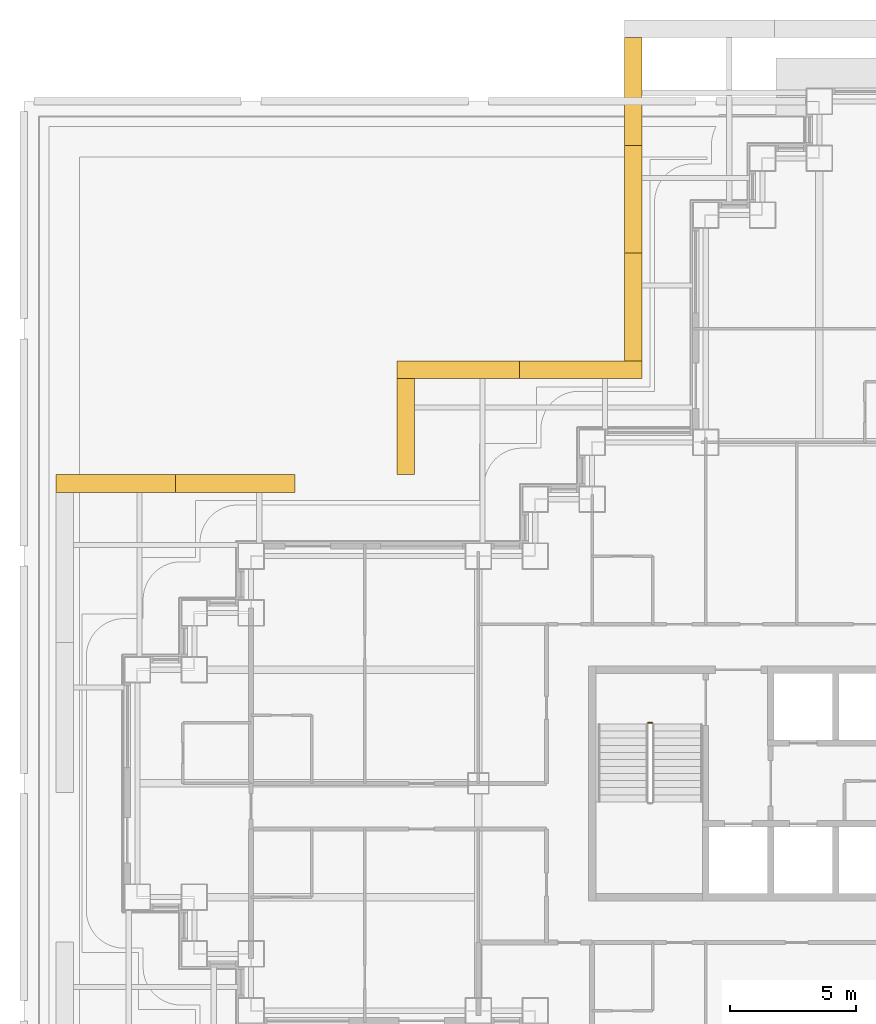
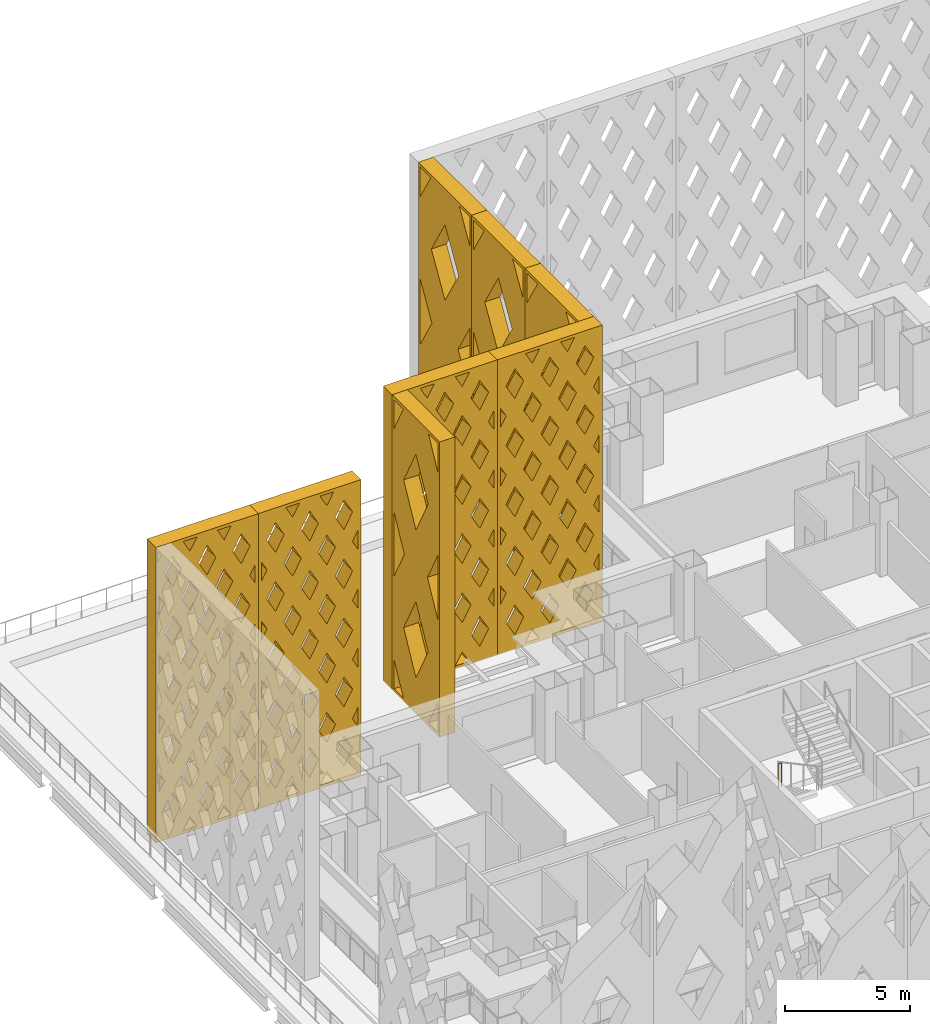
# One storey, part 23 of 26: 8 shading devices, 1 railing.
"""IFC4 building model written with IfcOpenShell, lengths in metres."""

from ifc_helpers import new_model, si_unit, direction, frame, origin, origin_2d, place, context, subcontext, project, spatial, polyline, circle, outline, extrude, material, type_object, element, save


model = new_model("IFC4")

# Units and contexts
model_context = context("Model", 3, precision=1e-05, world=origin(), true_north=direction((0.0, 1.0)))
body_context = subcontext(model_context, "Body", "Model", "MODEL_VIEW")
ifc_project = project(units=[si_unit("LENGTHUNIT", "METRE"), si_unit("AREAUNIT", "SQUARE_METRE"), si_unit("VOLUMEUNIT", "CUBIC_METRE"), si_unit("PLANEANGLEUNIT", "RADIAN"), si_unit("MASSUNIT", "GRAM", prefix="KILO")], contexts=[model_context])

# Site, building, storey
site_placement = place(None, origin())
site = spatial("IfcSite", under=ifc_project, at=site_placement, CompositionType="ELEMENT")
building_placement = place(site_placement, origin())
building = spatial("IfcBuilding", under=site, at=building_placement, Name="Caravel Reach Hotel and Residences", CompositionType="ELEMENT")
storey_placement = place(building_placement, frame((0.0, 0.0, 33.60009765625)))
storey = spatial("IfcBuildingStorey", under=building, at=storey_placement, Name="L06", CompositionType="ELEMENT", Elevation=33.60009765625)

# Shading devices
ifc_material_1 = material(Name="Black powder-coated aluminium", Category="aluminium")
shading_device_type_1 = type_object("IfcShadingDeviceType", Name="Diamond lattice screen panel 3800 x 14400", PredefinedType="USERDEFINED", material=ifc_material_1)
shading_device_1_placement = place(storey_placement, frame((10.97509765625, 43.02490234375, 0.0), z_axis=(-1.0, 0.0, 0.0), x_axis=(0.0, -1.0, 0.0)))
element("IfcShadingDevice", 1, at=shading_device_1_placement, inside=storey, type_object=shading_device_type_1, Name="Lattice screen L06-L09 15.1", ObjectType="SCREEN", PredefinedType="USERDEFINED", context=body_context, shape_type="SweptSolid", body=[
    extrude(outline(polyline([(0.0, 0.0), (3.800048828125, 0.0), (3.800048828125, 14.39990234375), (0.0, 14.39990234375), (0.0, 0.0)]), holes=[polyline([(0.9013671875, 0.14990234375), (0.14990234375, 1.573486328125), (0.14990234375, 0.14990234375), (0.9013671875, 0.14990234375)]), polyline([(0.98046875, 7.199951171875), (0.14990234375, 8.7734375), (0.14990234375, 5.62646484375), (0.98046875, 7.199951171875)]), polyline([(0.14990234375, 12.826416015625), (0.9013671875, 14.25), (0.14990234375, 14.25), (0.14990234375, 12.826416015625)]), polyline([(1.89990234375, 5.457763671875), (0.91943359375, 3.60009765625), (1.89990234375, 1.7421875), (2.88037109375, 3.60009765625), (1.89990234375, 5.457763671875)]), polyline([(1.89990234375, 12.65771484375), (0.91943359375, 10.800048828125), (1.89990234375, 8.9423828125), (2.88037109375, 10.800048828125), (1.89990234375, 12.65771484375)]), polyline([(3.64990234375, 1.573486328125), (2.898681640625, 0.14990234375), (3.64990234375, 0.14990234375), (3.64990234375, 1.573486328125)]), polyline([(2.819580078125, 7.199951171875), (3.64990234375, 5.62646484375), (3.64990234375, 8.7734375), (2.819580078125, 7.199951171875)]), polyline([(2.898681640625, 14.25), (3.64990234375, 12.826416015625), (3.64990234375, 14.25), (2.898681640625, 14.25)])]), origin(), (0.0, 0.0, 1.0), 0.7001953125),
])
ifc_material_2 = material(Name="Black powder-coated aluminium", Category="aluminium")
shading_device_type_2 = type_object("IfcShadingDeviceType", Name="Diamond lattice screen panel 4267 x 14400", PredefinedType="USERDEFINED", material=ifc_material_2)
for number, where, z_axis, x_axis, name in (
    (2, (19.97509765625, 56.52490234375, 0.0), (-1.0, 0.0, 0.0), (0.0, -1.0, 0.0), "Lattice screen L06-L09 13.1"),
    (3, (19.97509765625, 52.25830078125, 0.0), (-1.0, 0.0, 0.0), (0.0, -1.0, 0.0), "Lattice screen L06-L09 13.2"),
    (4, (19.97509765625, 47.99169921875, 0.0), (-1.0, 0.0, 0.0), (0.0, -1.0, 0.0), "Lattice screen L06-L09 13.3"),
):
    element("IfcShadingDevice", number, at=place(storey_placement, frame(where, z_axis=z_axis, x_axis=x_axis)), inside=storey, type_object=shading_device_type_2, Name=name, ObjectType="SCREEN", PredefinedType="USERDEFINED", context=body_context, shape_type="SweptSolid", body=[
        extrude(outline(polyline([(0.0, 0.0), (4.2666015625, 0.0), (4.2666015625, 14.39990234375), (0.0, 14.39990234375), (0.0, 0.0)]), holes=[polyline([(1.003662109375, 0.14990234375), (0.14990234375, 1.590576171875), (0.14990234375, 0.14990234375), (1.003662109375, 0.14990234375)]), polyline([(1.092529296875, 7.199951171875), (0.14990234375, 8.790771484375), (0.14990234375, 5.609375), (1.092529296875, 7.199951171875)]), polyline([(0.14990234375, 12.809326171875), (1.003662109375, 14.25), (0.14990234375, 14.25), (0.14990234375, 12.809326171875)]), polyline([(2.13330078125, 5.44384765625), (1.040771484375, 3.60009765625), (2.13330078125, 1.756103515625), (3.225830078125, 3.60009765625), (2.13330078125, 5.44384765625)]), polyline([(2.13330078125, 12.643798828125), (1.040771484375, 10.800048828125), (2.13330078125, 8.956298828125), (3.225830078125, 10.800048828125), (2.13330078125, 12.643798828125)]), polyline([(4.11669921875, 1.590576171875), (3.262939453125, 0.14990234375), (4.11669921875, 0.14990234375), (4.11669921875, 1.590576171875)]), polyline([(3.174072265625, 7.199951171875), (4.11669921875, 5.609375), (4.11669921875, 8.790771484375), (3.174072265625, 7.199951171875)]), polyline([(3.262939453125, 14.25), (4.11669921875, 12.809326171875), (4.11669921875, 14.25), (3.262939453125, 14.25)])]), origin(), (0.0, 0.0, 1.0), 0.7001953125),
    ])
ifc_material_3 = material(Name="Black powder-coated aluminium", Category="aluminium")
shading_device_type_3 = type_object("IfcShadingDeviceType", Name="Diamond lattice screen panel 4733 x 14400", PredefinedType="USERDEFINED", material=ifc_material_3)
shading_device_2_placement = place(storey_placement, frame((6.24169921875, 38.52490234375, 0.0), z_axis=(0.0, 1.0, 0.0), x_axis=(-1.0, 0.0, 0.0)))
element("IfcShadingDevice", 5, at=shading_device_2_placement, inside=storey, type_object=shading_device_type_3, Name="Lattice screen L06-L09 16.2", ObjectType="SCREEN", PredefinedType="USERDEFINED", context=body_context, shape_type="SweptSolid", body=[
    extrude(outline(polyline([(0.0, 0.0), (4.7333984375, 0.0), (4.7333984375, 14.39990234375), (0.0, 14.39990234375), (0.0, 0.0)]), holes=[polyline([(0.39892578125, 2.8798828125), (0.14990234375, 3.334228515625), (0.14990234375, 2.42578125), (0.39892578125, 2.8798828125)]), polyline([(0.39892578125, 5.760009765625), (0.14990234375, 6.21435546875), (0.14990234375, 5.3056640625), (0.39892578125, 5.760009765625)]), polyline([(0.39892578125, 8.639892578125), (0.14990234375, 9.09423828125), (0.14990234375, 8.185791015625), (0.39892578125, 8.639892578125)]), polyline([(0.39892578125, 11.52001953125), (0.14990234375, 11.974365234375), (0.14990234375, 11.065673828125), (0.39892578125, 11.52001953125)]), polyline([(0.788818359375, 2.16796875), (0.39013671875, 1.43994140625), (0.788818359375, 0.7119140625), (1.187744140625, 1.43994140625), (0.788818359375, 2.16796875)]), polyline([(0.788818359375, 5.048095703125), (0.39013671875, 4.320068359375), (0.788818359375, 3.592041015625), (1.187744140625, 4.320068359375), (0.788818359375, 5.048095703125)]), polyline([(0.788818359375, 7.927978515625), (0.39013671875, 7.199951171875), (0.788818359375, 6.471923828125), (1.187744140625, 7.199951171875), (0.788818359375, 7.927978515625)]), polyline([(0.788818359375, 10.80810546875), (0.39013671875, 10.080078125), (0.788818359375, 9.35205078125), (1.187744140625, 10.080078125), (0.788818359375, 10.80810546875)]), polyline([(0.788818359375, 13.68798828125), (0.39013671875, 12.9599609375), (0.788818359375, 12.23193359375), (1.187744140625, 12.9599609375), (0.788818359375, 13.68798828125)]), polyline([(1.577880859375, 0.72802734375), (1.260986328125, 0.14990234375), (1.89453125, 0.14990234375), (1.577880859375, 0.72802734375)]), polyline([(1.577880859375, 3.608154296875), (1.178955078125, 2.8798828125), (1.577880859375, 2.15185546875), (1.9765625, 2.8798828125), (1.577880859375, 3.608154296875)]), polyline([(1.577880859375, 6.488037109375), (1.178955078125, 5.760009765625), (1.577880859375, 5.031982421875), (1.9765625, 5.760009765625), (1.577880859375, 6.488037109375)]), polyline([(1.577880859375, 9.3681640625), (1.178955078125, 8.639892578125), (1.577880859375, 7.911865234375), (1.9765625, 8.639892578125), (1.577880859375, 9.3681640625)]), polyline([(1.577880859375, 12.248046875), (1.178955078125, 11.52001953125), (1.577880859375, 10.7919921875), (1.9765625, 11.52001953125), (1.577880859375, 12.248046875)]), polyline([(1.577880859375, 13.671875), (1.89453125, 14.25), (1.260986328125, 14.25), (1.577880859375, 13.671875)]), polyline([(2.36669921875, 2.16796875), (1.9677734375, 1.43994140625), (2.36669921875, 0.7119140625), (2.765625, 1.43994140625), (2.36669921875, 2.16796875)]), polyline([(2.36669921875, 5.048095703125), (1.9677734375, 4.320068359375), (2.36669921875, 3.592041015625), (2.765625, 4.320068359375), (2.36669921875, 5.048095703125)]), polyline([(2.36669921875, 7.927978515625), (1.9677734375, 7.199951171875), (2.36669921875, 6.471923828125), (2.765625, 7.199951171875), (2.36669921875, 7.927978515625)]), polyline([(2.36669921875, 10.80810546875), (1.9677734375, 10.080078125), (2.36669921875, 9.35205078125), (2.765625, 10.080078125), (2.36669921875, 10.80810546875)]), polyline([(2.36669921875, 13.68798828125), (1.9677734375, 12.9599609375), (2.36669921875, 12.23193359375), (2.765625, 12.9599609375), (2.36669921875, 13.68798828125)]), polyline([(3.155517578125, 0.72802734375), (2.8388671875, 0.14990234375), (3.47216796875, 0.14990234375), (3.155517578125, 0.72802734375)]), polyline([(3.155517578125, 3.608154296875), (2.756591796875, 2.8798828125), (3.155517578125, 2.15185546875), (3.554443359375, 2.8798828125), (3.155517578125, 3.608154296875)]), polyline([(3.155517578125, 6.488037109375), (2.756591796875, 5.760009765625), (3.155517578125, 5.031982421875), (3.554443359375, 5.760009765625), (3.155517578125, 6.488037109375)]), polyline([(3.155517578125, 9.3681640625), (2.756591796875, 8.639892578125), (3.155517578125, 7.911865234375), (3.554443359375, 8.639892578125), (3.155517578125, 9.3681640625)]), polyline([(3.155517578125, 12.248046875), (2.756591796875, 11.52001953125), (3.155517578125, 10.7919921875), (3.554443359375, 11.52001953125), (3.155517578125, 12.248046875)]), polyline([(3.155517578125, 13.671875), (3.47216796875, 14.25), (2.8388671875, 14.25), (3.155517578125, 13.671875)]), polyline([(3.9443359375, 2.16796875), (3.545654296875, 1.43994140625), (3.9443359375, 0.7119140625), (4.34326171875, 1.43994140625), (3.9443359375, 2.16796875)]), polyline([(3.9443359375, 5.048095703125), (3.545654296875, 4.320068359375), (3.9443359375, 3.592041015625), (4.34326171875, 4.320068359375), (3.9443359375, 5.048095703125)]), polyline([(3.9443359375, 7.927978515625), (3.545654296875, 7.199951171875), (3.9443359375, 6.471923828125), (4.34326171875, 7.199951171875), (3.9443359375, 7.927978515625)]), polyline([(3.9443359375, 10.80810546875), (3.545654296875, 10.080078125), (3.9443359375, 9.35205078125), (4.34326171875, 10.080078125), (3.9443359375, 10.80810546875)]), polyline([(3.9443359375, 13.68798828125), (3.545654296875, 12.9599609375), (3.9443359375, 12.23193359375), (4.34326171875, 12.9599609375), (3.9443359375, 13.68798828125)]), polyline([(4.33447265625, 2.8798828125), (4.583251953125, 2.42578125), (4.583251953125, 3.334228515625), (4.33447265625, 2.8798828125)]), polyline([(4.33447265625, 5.760009765625), (4.583251953125, 5.3056640625), (4.583251953125, 6.21435546875), (4.33447265625, 5.760009765625)]), polyline([(4.33447265625, 8.639892578125), (4.583251953125, 8.185791015625), (4.583251953125, 9.09423828125), (4.33447265625, 8.639892578125)]), polyline([(4.33447265625, 11.52001953125), (4.583251953125, 11.065673828125), (4.583251953125, 11.974365234375), (4.33447265625, 11.52001953125)])]), origin(), (0.0, 0.0, 1.0), 0.7001953125),
])
shading_device_3_placement = place(storey_placement, frame((1.50830078125, 38.52490234375, 0.0), z_axis=(0.0, 1.0, 0.0), x_axis=(-1.0, 0.0, 0.0)))
element("IfcShadingDevice", 6, at=shading_device_3_placement, inside=storey, type_object=shading_device_type_3, Name="Lattice screen L06-L09 16.3", ObjectType="SCREEN", PredefinedType="USERDEFINED", context=body_context, shape_type="SweptSolid", body=[
    extrude(outline(polyline([(0.0, 0.0), (4.7333984375, 0.0), (4.7333984375, 14.39990234375), (0.0, 14.39990234375), (0.0, 0.0)]), holes=[polyline([(0.39892578125, 2.8798828125), (0.14990234375, 3.334228515625), (0.14990234375, 2.42578125), (0.39892578125, 2.8798828125)]), polyline([(0.39892578125, 5.760009765625), (0.14990234375, 6.21435546875), (0.14990234375, 5.3056640625), (0.39892578125, 5.760009765625)]), polyline([(0.39892578125, 8.639892578125), (0.14990234375, 9.09423828125), (0.14990234375, 8.185791015625), (0.39892578125, 8.639892578125)]), polyline([(0.39892578125, 11.52001953125), (0.14990234375, 11.974365234375), (0.14990234375, 11.065673828125), (0.39892578125, 11.52001953125)]), polyline([(0.788818359375, 2.16796875), (0.39013671875, 1.43994140625), (0.788818359375, 0.7119140625), (1.187744140625, 1.43994140625), (0.788818359375, 2.16796875)]), polyline([(0.788818359375, 5.048095703125), (0.39013671875, 4.320068359375), (0.788818359375, 3.592041015625), (1.187744140625, 4.320068359375), (0.788818359375, 5.048095703125)]), polyline([(0.788818359375, 7.927978515625), (0.39013671875, 7.199951171875), (0.788818359375, 6.471923828125), (1.187744140625, 7.199951171875), (0.788818359375, 7.927978515625)]), polyline([(0.788818359375, 10.80810546875), (0.39013671875, 10.080078125), (0.788818359375, 9.35205078125), (1.187744140625, 10.080078125), (0.788818359375, 10.80810546875)]), polyline([(0.788818359375, 13.68798828125), (0.39013671875, 12.9599609375), (0.788818359375, 12.23193359375), (1.187744140625, 12.9599609375), (0.788818359375, 13.68798828125)]), polyline([(1.577880859375, 0.72802734375), (1.260986328125, 0.14990234375), (1.89453125, 0.14990234375), (1.577880859375, 0.72802734375)]), polyline([(1.577880859375, 3.608154296875), (1.178955078125, 2.8798828125), (1.577880859375, 2.15185546875), (1.9765625, 2.8798828125), (1.577880859375, 3.608154296875)]), polyline([(1.577880859375, 6.488037109375), (1.178955078125, 5.760009765625), (1.577880859375, 5.031982421875), (1.9765625, 5.760009765625), (1.577880859375, 6.488037109375)]), polyline([(1.577880859375, 9.3681640625), (1.178955078125, 8.639892578125), (1.577880859375, 7.911865234375), (1.9765625, 8.639892578125), (1.577880859375, 9.3681640625)]), polyline([(1.577880859375, 12.248046875), (1.178955078125, 11.52001953125), (1.577880859375, 10.7919921875), (1.9765625, 11.52001953125), (1.577880859375, 12.248046875)]), polyline([(1.577880859375, 13.671875), (1.89453125, 14.25), (1.260986328125, 14.25), (1.577880859375, 13.671875)]), polyline([(2.36669921875, 2.16796875), (1.9677734375, 1.43994140625), (2.36669921875, 0.7119140625), (2.765625, 1.43994140625), (2.36669921875, 2.16796875)]), polyline([(2.36669921875, 5.048095703125), (1.9677734375, 4.320068359375), (2.36669921875, 3.592041015625), (2.765625, 4.320068359375), (2.36669921875, 5.048095703125)]), polyline([(2.36669921875, 7.927978515625), (1.9677734375, 7.199951171875), (2.36669921875, 6.471923828125), (2.765625, 7.199951171875), (2.36669921875, 7.927978515625)]), polyline([(2.36669921875, 10.80810546875), (1.9677734375, 10.080078125), (2.36669921875, 9.35205078125), (2.765625, 10.080078125), (2.36669921875, 10.80810546875)]), polyline([(2.36669921875, 13.68798828125), (1.9677734375, 12.9599609375), (2.36669921875, 12.23193359375), (2.765625, 12.9599609375), (2.36669921875, 13.68798828125)]), polyline([(3.155517578125, 0.72802734375), (2.8388671875, 0.14990234375), (3.47216796875, 0.14990234375), (3.155517578125, 0.72802734375)]), polyline([(3.155517578125, 3.608154296875), (2.756591796875, 2.8798828125), (3.155517578125, 2.15185546875), (3.554443359375, 2.8798828125), (3.155517578125, 3.608154296875)]), polyline([(3.155517578125, 6.488037109375), (2.756591796875, 5.760009765625), (3.155517578125, 5.031982421875), (3.554443359375, 5.760009765625), (3.155517578125, 6.488037109375)]), polyline([(3.155517578125, 9.3681640625), (2.756591796875, 8.639892578125), (3.155517578125, 7.911865234375), (3.554443359375, 8.639892578125), (3.155517578125, 9.3681640625)]), polyline([(3.155517578125, 12.248046875), (2.756591796875, 11.52001953125), (3.155517578125, 10.7919921875), (3.554443359375, 11.52001953125), (3.155517578125, 12.248046875)]), polyline([(3.155517578125, 13.671875), (3.47216796875, 14.25), (2.8388671875, 14.25), (3.155517578125, 13.671875)]), polyline([(3.9443359375, 2.16796875), (3.545654296875, 1.43994140625), (3.9443359375, 0.7119140625), (4.34326171875, 1.43994140625), (3.9443359375, 2.16796875)]), polyline([(3.9443359375, 5.048095703125), (3.545654296875, 4.320068359375), (3.9443359375, 3.592041015625), (4.34326171875, 4.320068359375), (3.9443359375, 5.048095703125)]), polyline([(3.9443359375, 7.927978515625), (3.545654296875, 7.199951171875), (3.9443359375, 6.471923828125), (4.34326171875, 7.199951171875), (3.9443359375, 7.927978515625)]), polyline([(3.9443359375, 10.80810546875), (3.545654296875, 10.080078125), (3.9443359375, 9.35205078125), (4.34326171875, 10.080078125), (3.9443359375, 10.80810546875)]), polyline([(3.9443359375, 13.68798828125), (3.545654296875, 12.9599609375), (3.9443359375, 12.23193359375), (4.34326171875, 12.9599609375), (3.9443359375, 13.68798828125)]), polyline([(4.33447265625, 2.8798828125), (4.583251953125, 2.42578125), (4.583251953125, 3.334228515625), (4.33447265625, 2.8798828125)]), polyline([(4.33447265625, 5.760009765625), (4.583251953125, 5.3056640625), (4.583251953125, 6.21435546875), (4.33447265625, 5.760009765625)]), polyline([(4.33447265625, 8.639892578125), (4.583251953125, 8.185791015625), (4.583251953125, 9.09423828125), (4.33447265625, 8.639892578125)]), polyline([(4.33447265625, 11.52001953125), (4.583251953125, 11.065673828125), (4.583251953125, 11.974365234375), (4.33447265625, 11.52001953125)])]), origin(), (0.0, 0.0, 1.0), 0.7001953125),
])
ifc_material_4 = material(Name="Black powder-coated aluminium", Category="aluminium")
shading_device_type_4 = type_object("IfcShadingDeviceType", Name="Diamond lattice screen panel 4850 x 14400", PredefinedType="USERDEFINED", material=ifc_material_4)
shading_device_4_placement = place(storey_placement, frame((19.97509765625, 43.02490234375, 0.0), z_axis=(0.0, 1.0, 0.0), x_axis=(-1.0, 0.0, 0.0)))
element("IfcShadingDevice", 7, at=shading_device_4_placement, inside=storey, type_object=shading_device_type_4, Name="Lattice screen L06-L09 14.1", ObjectType="SCREEN", PredefinedType="USERDEFINED", context=body_context, shape_type="SweptSolid", body=[
    extrude(outline(polyline([(0.0, 0.0), (4.85009765625, 0.0), (4.85009765625, 14.39990234375), (0.0, 14.39990234375), (0.0, 0.0)]), holes=[polyline([(0.408447265625, 2.8798828125), (0.14990234375, 3.34033203125), (0.14990234375, 2.419677734375), (0.408447265625, 2.8798828125)]), polyline([(0.408447265625, 5.760009765625), (0.14990234375, 6.22021484375), (0.14990234375, 5.2998046875), (0.408447265625, 5.760009765625)]), polyline([(0.408447265625, 8.639892578125), (0.14990234375, 9.100341796875), (0.14990234375, 8.1796875), (0.408447265625, 8.639892578125)]), polyline([(0.408447265625, 11.52001953125), (0.14990234375, 11.980224609375), (0.14990234375, 11.059814453125), (0.408447265625, 11.52001953125)]), polyline([(0.808349609375, 2.16748046875), (0.39990234375, 1.43994140625), (0.808349609375, 0.712646484375), (1.216796875, 1.43994140625), (0.808349609375, 2.16748046875)]), polyline([(0.808349609375, 5.04736328125), (0.39990234375, 4.320068359375), (0.808349609375, 3.592529296875), (1.216796875, 4.320068359375), (0.808349609375, 5.04736328125)]), polyline([(0.808349609375, 7.927490234375), (0.39990234375, 7.199951171875), (0.808349609375, 6.47265625), (1.216796875, 7.199951171875), (0.808349609375, 7.927490234375)]), polyline([(0.808349609375, 10.807373046875), (0.39990234375, 10.080078125), (0.808349609375, 9.3525390625), (1.216796875, 10.080078125), (0.808349609375, 10.807373046875)]), polyline([(0.808349609375, 13.6875), (0.39990234375, 12.9599609375), (0.808349609375, 12.232421875), (1.216796875, 12.9599609375), (0.808349609375, 13.6875)]), polyline([(1.61669921875, 0.7275390625), (1.29248046875, 0.14990234375), (1.94091796875, 0.14990234375), (1.61669921875, 0.7275390625)]), polyline([(1.61669921875, 3.607421875), (1.208251953125, 2.8798828125), (1.61669921875, 2.152587890625), (2.02490234375, 2.8798828125), (1.61669921875, 3.607421875)]), polyline([(1.61669921875, 6.487548828125), (1.208251953125, 5.760009765625), (1.61669921875, 5.032470703125), (2.02490234375, 5.760009765625), (1.61669921875, 6.487548828125)]), polyline([(1.61669921875, 9.367431640625), (1.208251953125, 8.639892578125), (1.61669921875, 7.91259765625), (2.02490234375, 8.639892578125), (1.61669921875, 9.367431640625)]), polyline([(1.61669921875, 12.24755859375), (1.208251953125, 11.52001953125), (1.61669921875, 10.79248046875), (2.02490234375, 11.52001953125), (1.61669921875, 12.24755859375)]), polyline([(1.61669921875, 13.672607421875), (1.94091796875, 14.25), (1.29248046875, 14.25), (1.61669921875, 13.672607421875)]), polyline([(2.425048828125, 2.16748046875), (2.0166015625, 1.43994140625), (2.425048828125, 0.712646484375), (2.833251953125, 1.43994140625), (2.425048828125, 2.16748046875)]), polyline([(2.425048828125, 5.04736328125), (2.0166015625, 4.320068359375), (2.425048828125, 3.592529296875), (2.833251953125, 4.320068359375), (2.425048828125, 5.04736328125)]), polyline([(2.425048828125, 7.927490234375), (2.0166015625, 7.199951171875), (2.425048828125, 6.47265625), (2.833251953125, 7.199951171875), (2.425048828125, 7.927490234375)]), polyline([(2.425048828125, 10.807373046875), (2.0166015625, 10.080078125), (2.425048828125, 9.3525390625), (2.833251953125, 10.080078125), (2.425048828125, 10.807373046875)]), polyline([(2.425048828125, 13.6875), (2.0166015625, 12.9599609375), (2.425048828125, 12.232421875), (2.833251953125, 12.9599609375), (2.425048828125, 13.6875)]), polyline([(3.2333984375, 0.7275390625), (2.9091796875, 0.14990234375), (3.557373046875, 0.14990234375), (3.2333984375, 0.7275390625)]), polyline([(3.2333984375, 3.607421875), (2.824951171875, 2.8798828125), (3.2333984375, 2.152587890625), (3.6416015625, 2.8798828125), (3.2333984375, 3.607421875)]), polyline([(3.2333984375, 6.487548828125), (2.824951171875, 5.760009765625), (3.2333984375, 5.032470703125), (3.6416015625, 5.760009765625), (3.2333984375, 6.487548828125)]), polyline([(3.2333984375, 9.367431640625), (2.824951171875, 8.639892578125), (3.2333984375, 7.91259765625), (3.6416015625, 8.639892578125), (3.2333984375, 9.367431640625)]), polyline([(3.2333984375, 12.24755859375), (2.824951171875, 11.52001953125), (3.2333984375, 10.79248046875), (3.6416015625, 11.52001953125), (3.2333984375, 12.24755859375)]), polyline([(3.2333984375, 13.672607421875), (3.557373046875, 14.25), (2.9091796875, 14.25), (3.2333984375, 13.672607421875)]), polyline([(4.041748046875, 2.16748046875), (3.63330078125, 1.43994140625), (4.041748046875, 0.712646484375), (4.449951171875, 1.43994140625), (4.041748046875, 2.16748046875)]), polyline([(4.041748046875, 5.04736328125), (3.63330078125, 4.320068359375), (4.041748046875, 3.592529296875), (4.449951171875, 4.320068359375), (4.041748046875, 5.04736328125)]), polyline([(4.041748046875, 7.927490234375), (3.63330078125, 7.199951171875), (4.041748046875, 6.47265625), (4.449951171875, 7.199951171875), (4.041748046875, 7.927490234375)]), polyline([(4.041748046875, 10.807373046875), (3.63330078125, 10.080078125), (4.041748046875, 9.3525390625), (4.449951171875, 10.080078125), (4.041748046875, 10.807373046875)]), polyline([(4.041748046875, 13.6875), (3.63330078125, 12.9599609375), (4.041748046875, 12.232421875), (4.449951171875, 12.9599609375), (4.041748046875, 13.6875)]), polyline([(4.441650390625, 2.8798828125), (4.699951171875, 2.419677734375), (4.699951171875, 3.34033203125), (4.441650390625, 2.8798828125)]), polyline([(4.441650390625, 5.760009765625), (4.699951171875, 5.2998046875), (4.699951171875, 6.22021484375), (4.441650390625, 5.760009765625)]), polyline([(4.441650390625, 8.639892578125), (4.699951171875, 8.1796875), (4.699951171875, 9.100341796875), (4.441650390625, 8.639892578125)]), polyline([(4.441650390625, 11.52001953125), (4.699951171875, 11.059814453125), (4.699951171875, 11.980224609375), (4.441650390625, 11.52001953125)])]), origin(), (0.0, 0.0, 1.0), 0.7001953125),
])
shading_device_5_placement = place(storey_placement, frame((15.125, 43.02490234375, 0.0), z_axis=(0.0, 1.0, 0.0), x_axis=(-1.0, 0.0, 0.0)))
element("IfcShadingDevice", 8, at=shading_device_5_placement, inside=storey, type_object=shading_device_type_4, Name="Lattice screen L06-L09 14.2", ObjectType="SCREEN", PredefinedType="USERDEFINED", context=body_context, shape_type="SweptSolid", body=[
    extrude(outline(polyline([(0.0, 0.0), (4.85009765625, 0.0), (4.85009765625, 14.39990234375), (0.0, 14.39990234375), (0.0, 0.0)]), holes=[polyline([(0.408447265625, 2.8798828125), (0.14990234375, 3.34033203125), (0.14990234375, 2.419677734375), (0.408447265625, 2.8798828125)]), polyline([(0.408447265625, 5.760009765625), (0.14990234375, 6.22021484375), (0.14990234375, 5.2998046875), (0.408447265625, 5.760009765625)]), polyline([(0.408447265625, 8.639892578125), (0.14990234375, 9.100341796875), (0.14990234375, 8.1796875), (0.408447265625, 8.639892578125)]), polyline([(0.408447265625, 11.52001953125), (0.14990234375, 11.980224609375), (0.14990234375, 11.059814453125), (0.408447265625, 11.52001953125)]), polyline([(0.808349609375, 2.16748046875), (0.39990234375, 1.43994140625), (0.808349609375, 0.712646484375), (1.216796875, 1.43994140625), (0.808349609375, 2.16748046875)]), polyline([(0.808349609375, 5.04736328125), (0.39990234375, 4.320068359375), (0.808349609375, 3.592529296875), (1.216796875, 4.320068359375), (0.808349609375, 5.04736328125)]), polyline([(0.808349609375, 7.927490234375), (0.39990234375, 7.199951171875), (0.808349609375, 6.47265625), (1.216796875, 7.199951171875), (0.808349609375, 7.927490234375)]), polyline([(0.808349609375, 10.807373046875), (0.39990234375, 10.080078125), (0.808349609375, 9.3525390625), (1.216796875, 10.080078125), (0.808349609375, 10.807373046875)]), polyline([(0.808349609375, 13.6875), (0.39990234375, 12.9599609375), (0.808349609375, 12.232421875), (1.216796875, 12.9599609375), (0.808349609375, 13.6875)]), polyline([(1.61669921875, 0.7275390625), (1.29248046875, 0.14990234375), (1.94091796875, 0.14990234375), (1.61669921875, 0.7275390625)]), polyline([(1.61669921875, 3.607421875), (1.208251953125, 2.8798828125), (1.61669921875, 2.152587890625), (2.02490234375, 2.8798828125), (1.61669921875, 3.607421875)]), polyline([(1.61669921875, 6.487548828125), (1.208251953125, 5.760009765625), (1.61669921875, 5.032470703125), (2.02490234375, 5.760009765625), (1.61669921875, 6.487548828125)]), polyline([(1.61669921875, 9.367431640625), (1.208251953125, 8.639892578125), (1.61669921875, 7.91259765625), (2.02490234375, 8.639892578125), (1.61669921875, 9.367431640625)]), polyline([(1.61669921875, 12.24755859375), (1.208251953125, 11.52001953125), (1.61669921875, 10.79248046875), (2.02490234375, 11.52001953125), (1.61669921875, 12.24755859375)]), polyline([(1.61669921875, 13.672607421875), (1.94091796875, 14.25), (1.29248046875, 14.25), (1.61669921875, 13.672607421875)]), polyline([(2.425048828125, 2.16748046875), (2.0166015625, 1.43994140625), (2.425048828125, 0.712646484375), (2.833251953125, 1.43994140625), (2.425048828125, 2.16748046875)]), polyline([(2.425048828125, 5.04736328125), (2.0166015625, 4.320068359375), (2.425048828125, 3.592529296875), (2.833251953125, 4.320068359375), (2.425048828125, 5.04736328125)]), polyline([(2.425048828125, 7.927490234375), (2.0166015625, 7.199951171875), (2.425048828125, 6.47265625), (2.833251953125, 7.199951171875), (2.425048828125, 7.927490234375)]), polyline([(2.425048828125, 10.807373046875), (2.0166015625, 10.080078125), (2.425048828125, 9.3525390625), (2.833251953125, 10.080078125), (2.425048828125, 10.807373046875)]), polyline([(2.425048828125, 13.6875), (2.0166015625, 12.9599609375), (2.425048828125, 12.232421875), (2.833251953125, 12.9599609375), (2.425048828125, 13.6875)]), polyline([(3.2333984375, 0.7275390625), (2.9091796875, 0.14990234375), (3.557373046875, 0.14990234375), (3.2333984375, 0.7275390625)]), polyline([(3.2333984375, 3.607421875), (2.824951171875, 2.8798828125), (3.2333984375, 2.152587890625), (3.6416015625, 2.8798828125), (3.2333984375, 3.607421875)]), polyline([(3.2333984375, 6.487548828125), (2.824951171875, 5.760009765625), (3.2333984375, 5.032470703125), (3.6416015625, 5.760009765625), (3.2333984375, 6.487548828125)]), polyline([(3.2333984375, 9.367431640625), (2.824951171875, 8.639892578125), (3.2333984375, 7.91259765625), (3.6416015625, 8.639892578125), (3.2333984375, 9.367431640625)]), polyline([(3.2333984375, 12.24755859375), (2.824951171875, 11.52001953125), (3.2333984375, 10.79248046875), (3.6416015625, 11.52001953125), (3.2333984375, 12.24755859375)]), polyline([(3.2333984375, 13.672607421875), (3.557373046875, 14.25), (2.9091796875, 14.25), (3.2333984375, 13.672607421875)]), polyline([(4.041748046875, 2.16748046875), (3.63330078125, 1.43994140625), (4.041748046875, 0.712646484375), (4.449951171875, 1.43994140625), (4.041748046875, 2.16748046875)]), polyline([(4.041748046875, 5.04736328125), (3.63330078125, 4.320068359375), (4.041748046875, 3.592529296875), (4.449951171875, 4.320068359375), (4.041748046875, 5.04736328125)]), polyline([(4.041748046875, 7.927490234375), (3.63330078125, 7.199951171875), (4.041748046875, 6.47265625), (4.449951171875, 7.199951171875), (4.041748046875, 7.927490234375)]), polyline([(4.041748046875, 10.807373046875), (3.63330078125, 10.080078125), (4.041748046875, 9.3525390625), (4.449951171875, 10.080078125), (4.041748046875, 10.807373046875)]), polyline([(4.041748046875, 13.6875), (3.63330078125, 12.9599609375), (4.041748046875, 12.232421875), (4.449951171875, 12.9599609375), (4.041748046875, 13.6875)]), polyline([(4.441650390625, 2.8798828125), (4.699951171875, 2.419677734375), (4.699951171875, 3.34033203125), (4.441650390625, 2.8798828125)]), polyline([(4.441650390625, 5.760009765625), (4.699951171875, 5.2998046875), (4.699951171875, 6.22021484375), (4.441650390625, 5.760009765625)]), polyline([(4.441650390625, 8.639892578125), (4.699951171875, 8.1796875), (4.699951171875, 9.100341796875), (4.441650390625, 8.639892578125)]), polyline([(4.441650390625, 11.52001953125), (4.699951171875, 11.059814453125), (4.699951171875, 11.980224609375), (4.441650390625, 11.52001953125)])]), origin(), (0.0, 0.0, 1.0), 0.7001953125),
])

# Railing
ifc_material_5 = material(Name="Steel balustrade with glass infill", Category="steel")
railing_type = type_object("IfcRailingType", Name="Guard 1200", PredefinedType="GUARDRAIL", material=ifc_material_5)
railing_placement = place(storey_placement, frame((20.22509765625, 29.39990234375, 0.0)))
element("IfcRailing", 9, at=railing_placement, inside=storey, type_object=railing_type, Name="L06 ST-A stair guard 4", PredefinedType="GUARDRAIL", context=body_context, shape_type="SweptSolid", body=[
    extrude(circle(Radius=0.02392578125, at=origin_2d()), frame((0.0, 0.0, 1.17578125), z_axis=(1.0, 0.0, 0.0), x_axis=(0.0, 1.0, 0.0)), (0.0, 0.0, 1.0), 0.14990234375),
    extrude(circle(Radius=0.02099609375, at=origin_2d()), origin(), (0.0, 0.0, 1.0), 1.15185546875),
    extrude(circle(Radius=0.02099609375, at=origin_2d()), frame((0.14990234375, 0.0, 0.0)), (0.0, 0.0, 1.0), 1.15185546875),
])

save(model, "model.ifc")
